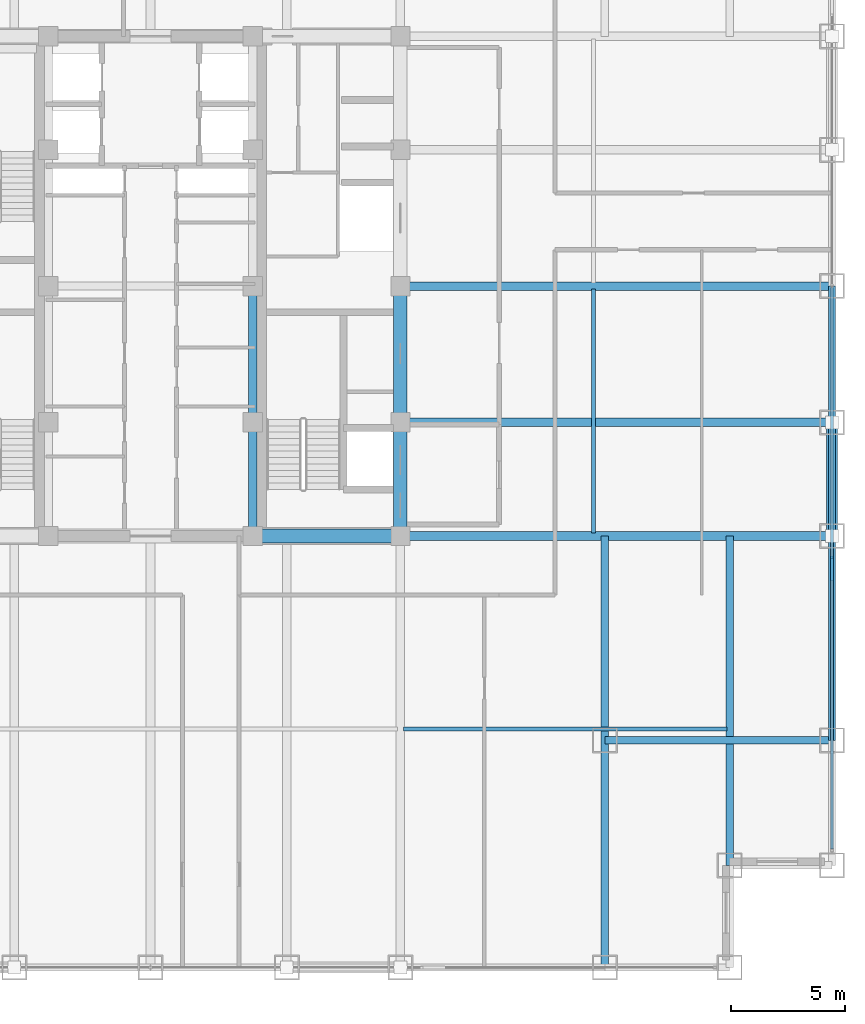
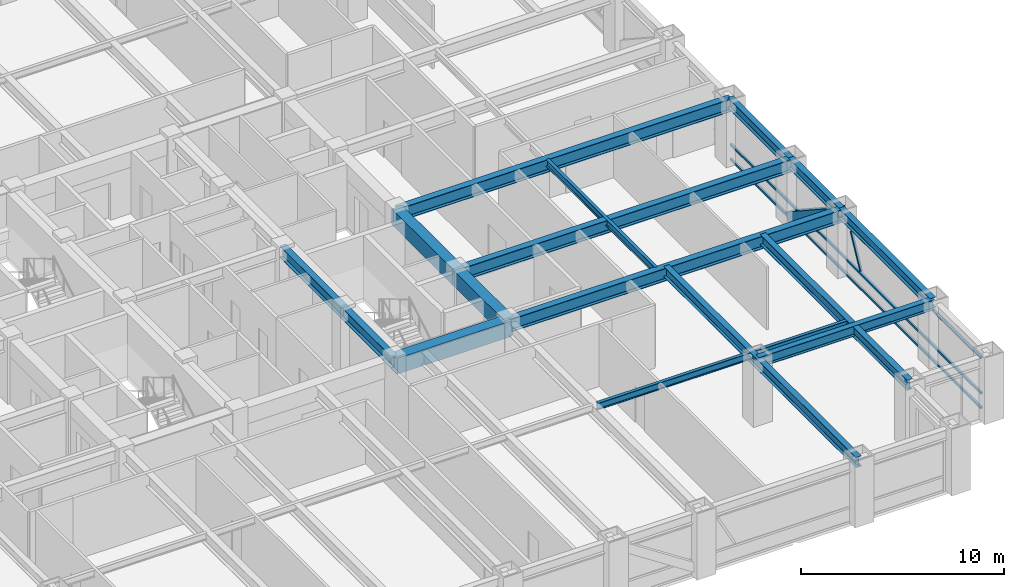
# One storey, part 9 of 24: 16 beams, 5 members, 1 element without a shape of its own.
"""IFC4 building model written with IfcOpenShell, lengths in metres."""

from ifc_helpers import new_model, si_unit, direction, frame, origin, origin_2d, place, context, subcontext, project, spatial, rectangle, hollow_rectangle, i_section, extrude, source, transform, mapped, material, material_profile, profile_set, type_object, element, aggregate, save


model = new_model("IFC4")

# Units and contexts
model_context = context("Model", 3, precision=1e-05, world=origin(), true_north=direction((0.0, 1.0)))
body_context = subcontext(model_context, "Body", "Model", "MODEL_VIEW")
ifc_project = project(units=[si_unit("LENGTHUNIT", "METRE"), si_unit("AREAUNIT", "SQUARE_METRE"), si_unit("VOLUMEUNIT", "CUBIC_METRE"), si_unit("PLANEANGLEUNIT", "RADIAN"), si_unit("MASSUNIT", "GRAM", prefix="KILO")], contexts=[model_context])

# Site, building, storey
site_placement = place(None, origin())
site = spatial("IfcSite", under=ifc_project, at=site_placement, CompositionType="ELEMENT")
building_placement = place(site_placement, origin())
building = spatial("IfcBuilding", under=site, at=building_placement, Name="Khorayat Bourse Tower", CompositionType="ELEMENT")
storey_placement = place(building_placement, frame((0.0, 0.0, 203.10009765625)))
storey = spatial("IfcBuildingStorey", under=building, at=storey_placement, Name="L47", CompositionType="ELEMENT", Elevation=203.10009765625)

# Beams
ifc_material_1 = material(Name="Steel ASTM A992 Grade 50", Category="steel")
ifc_material_profile_1 = material_profile(ifc_material_1, i_section(OverallWidth=0.35498046875, OverallDepth=0.695068359375, WebThickness=0.015380859375, FlangeThickness=0.02490234375, FilletRadius=0.01806640625, at=origin_2d()), Name="W690X217")
ifc_profile_set_1 = profile_set([ifc_material_profile_1], Name="Steel ASTM A992 Grade 50")
beam_type_1 = type_object("IfcBeamType", Name="BM-GIRD-690", PredefinedType="BEAM", material=ifc_profile_set_1)
shared_shape_1 = source(origin(), body_context, "Body", "SweptSolid", [
    extrude(i_section(OverallWidth=0.35498046875, OverallDepth=0.695068359375, WebThickness=0.015380859375, FlangeThickness=0.02490234375, FilletRadius=0.01806640625, at=origin_2d()), origin(), (0.0, 0.0, 1.0), 5.0),
])
beam_1_placement = place(storey_placement, frame((4.5, -11.0, 3.432373046875), z_axis=(0.0, 1.0, 0.0), x_axis=(-1.0, 0.0, 0.0)))
element("IfcBeam", 1, at=beam_1_placement, inside=storey, type_object=beam_type_1, Name="L47 BM-GIRD-690 BM-L47-CRX-09", PredefinedType="BEAM", context=body_context, shape_type="MappedRepresentation", body=[
    mapped(shared_shape_1, transform((0.0, 0.0, 0.0), scale=1.0)),
])
shared_shape_2 = source(origin(), body_context, "Body", "SweptSolid", [
    extrude(i_section(OverallWidth=0.35498046875, OverallDepth=0.695068359375, WebThickness=0.015380859375, FlangeThickness=0.02490234375, FilletRadius=0.01806640625, at=origin_2d()), origin(), (0.0, 0.0, 1.0), 6.0),
])
beam_2_placement = place(storey_placement, frame((4.5, -6.0, 3.432373046875), z_axis=(0.0, 1.0, 0.0), x_axis=(-1.0, 0.0, 0.0)))
element("IfcBeam", 2, at=beam_2_placement, inside=storey, type_object=beam_type_1, Name="L47 BM-GIRD-690 BM-L47-CRX-10", PredefinedType="BEAM", context=body_context, shape_type="MappedRepresentation", body=[
    mapped(shared_shape_2, transform((0.0, 0.0, 0.0), scale=1.0)),
])
ifc_material_profile_2 = material_profile(ifc_material_1, i_section(OverallWidth=0.381103515625, OverallDepth=0.77294921875, WebThickness=0.0166015625, FlangeThickness=0.027587890625, FilletRadius=0.01806640625, at=origin_2d()), Name="W760X257")
ifc_profile_set_2 = profile_set([ifc_material_profile_2], Name="Steel ASTM A992 Grade 50")
beam_type_2 = type_object("IfcBeamType", Name="BM-GIRD-760", PredefinedType="BEAM", material=ifc_profile_set_2)
shared_shape_3 = source(origin(), body_context, "Body", "SweptSolid", [
    extrude(i_section(OverallWidth=0.381103515625, OverallDepth=0.77294921875, WebThickness=0.0166015625, FlangeThickness=0.027587890625, FilletRadius=0.01806640625, at=origin_2d()), origin(), (0.0, 0.0, 1.0), 19.0),
])
for number, where, z_axis, x_axis, name in (
    (3, (11.0, -11.0, 3.393310546875), (1.0, 0.0, 0.0), (0.0, 1.0, 0.0), "L47 BM-GIRD-760 BM-L47-RADX-074"),
    (4, (11.0, -6.0, 3.393310546875), (1.0, 0.0, 0.0), (0.0, 1.0, 0.0), "L47 BM-GIRD-760 BM-L47-RADX-076"),
    (5, (11.0, 0.0, 3.393310546875), (1.0, 0.0, 0.0), (0.0, 1.0, 0.0), "L47 BM-GIRD-760 BM-L47-RADX-078"),
):
    element("IfcBeam", number, at=place(storey_placement, frame(where, z_axis=z_axis, x_axis=x_axis)), inside=storey, type_object=beam_type_2, Name=name, PredefinedType="BEAM", context=body_context, shape_type="MappedRepresentation", body=[
        mapped(shared_shape_3, transform((0.0, 0.0, 0.0), scale=1.0)),
    ])
ifc_material_profile_3 = material_profile(ifc_material_1, i_section(OverallWidth=0.324951171875, OverallDepth=0.615966796875, WebThickness=0.013916015625, FlangeThickness=0.021484375, FilletRadius=0.01611328125, at=origin_2d()), Name="W610X174")
ifc_profile_set_3 = profile_set([ifc_material_profile_3], Name="Steel ASTM A992 Grade 50")
beam_type_3 = type_object("IfcBeamType", Name="BM-GIRD-610", PredefinedType="BEAM", material=ifc_profile_set_3)
shared_shape_4 = source(origin(), body_context, "Body", "SweptSolid", [
    extrude(i_section(OverallWidth=0.324951171875, OverallDepth=0.615966796875, WebThickness=0.013916015625, FlangeThickness=0.021484375, FilletRadius=0.01611328125, at=origin_2d()), origin(), (0.0, 0.0, 1.0), 19.0),
])
beam_3_placement = place(storey_placement, frame((20.0, -30.0, 3.471923828125), z_axis=(0.0, 1.0, 0.0), x_axis=(-1.0, 0.0, 0.0)))
element("IfcBeam", 6, at=beam_3_placement, inside=storey, type_object=beam_type_3, Name="L47 BM-GIRD-610 BM-L47-CNRY-086", PredefinedType="BEAM", context=body_context, shape_type="MappedRepresentation", body=[
    mapped(shared_shape_4, transform((0.0, 0.0, 0.0), scale=1.0)),
])
shared_shape_5 = source(origin(), body_context, "Body", "SweptSolid", [
    extrude(i_section(OverallWidth=0.324951171875, OverallDepth=0.615966796875, WebThickness=0.013916015625, FlangeThickness=0.021484375, FilletRadius=0.01611328125, at=origin_2d()), origin(), (0.0, 0.0, 1.0), 14.5),
])
beam_4_placement = place(storey_placement, frame((25.5, -25.5, 3.471923828125), z_axis=(0.0, 1.0, 0.0), x_axis=(-1.0, 0.0, 0.0)))
element("IfcBeam", 7, at=beam_4_placement, inside=storey, type_object=beam_type_3, Name="L47 BM-GIRD-610 BM-L47-CNRY-090", PredefinedType="BEAM", context=body_context, shape_type="MappedRepresentation", body=[
    mapped(shared_shape_5, transform((0.0, 0.0, 0.0), scale=1.0)),
])
shared_shape_6 = source(origin(), body_context, "Body", "SweptSolid", [
    extrude(i_section(OverallWidth=0.324951171875, OverallDepth=0.615966796875, WebThickness=0.013916015625, FlangeThickness=0.021484375, FilletRadius=0.01611328125, at=origin_2d()), origin(), (0.0, 0.0, 1.0), 10.0),
])
beam_5_placement = place(storey_placement, frame((20.0, -20.0, 3.471923828125), z_axis=(1.0, 0.0, 0.0), x_axis=(0.0, 1.0, 0.0)))
element("IfcBeam", 8, at=beam_5_placement, inside=storey, type_object=beam_type_3, Name="L47 BM-GIRD-610 BM-L47-CNRX-092", PredefinedType="BEAM", context=body_context, shape_type="MappedRepresentation", body=[
    mapped(shared_shape_6, transform((0.0, 0.0, 0.0), scale=1.0)),
])
ifc_material_profile_4 = material_profile(ifc_material_1, i_section(OverallWidth=0.180908203125, OverallDepth=0.4169921875, WebThickness=0.010986328125, FlangeThickness=0.018310546875, FilletRadius=0.011962890625, at=origin_2d()), Name="W410X85")
ifc_profile_set_4 = profile_set([ifc_material_profile_4], Name="Steel ASTM A992 Grade 50")
beam_type_4 = type_object("IfcBeamType", Name="BM-JOIST-410", PredefinedType="JOIST", material=ifc_profile_set_4)
shared_shape_7 = source(origin(), body_context, "Body", "SweptSolid", [
    extrude(i_section(OverallWidth=0.180908203125, OverallDepth=0.4169921875, WebThickness=0.010986328125, FlangeThickness=0.018310546875, FilletRadius=0.011962890625, at=origin_2d()), origin(), (0.0, 0.0, 1.0), 14.240234375),
])
beam_6_placement = place(storey_placement, frame((11.1298828125, -19.5, 3.5712890625), z_axis=(1.0, 0.0, 0.0), x_axis=(0.0, 1.0, 0.0)))
element("IfcBeam", 9, at=beam_6_placement, inside=storey, type_object=beam_type_4, Name="L47 BM-JOIST-410 BM-L47-JSTX-098", PredefinedType="JOIST", context=body_context, shape_type="MappedRepresentation", body=[
    mapped(shared_shape_7, transform((0.0, 0.0, 0.0), scale=1.0)),
])
shared_shape_8 = source(origin(), body_context, "Body", "SweptSolid", [
    extrude(i_section(OverallWidth=0.180908203125, OverallDepth=0.4169921875, WebThickness=0.010986328125, FlangeThickness=0.018310546875, FilletRadius=0.011962890625, at=origin_2d()), origin(), (0.0, 0.0, 1.0), 10.740234375),
])
beam_7_placement = place(storey_placement, frame((19.5, -10.8701171875, 3.5712890625), z_axis=(0.0, 1.0, 0.0), x_axis=(-1.0, 0.0, 0.0)))
element("IfcBeam", 10, at=beam_7_placement, inside=storey, type_object=beam_type_4, Name="L47 BM-JOIST-410 BM-L47-JSTY-104", PredefinedType="JOIST", context=body_context, shape_type="MappedRepresentation", body=[
    mapped(shared_shape_8, transform((0.0, 0.0, 0.0), scale=1.0)),
])
ifc_material_profile_5 = material_profile(ifc_material_1, i_section(OverallWidth=0.324951171875, OverallDepth=0.615966796875, WebThickness=0.013916015625, FlangeThickness=0.021484375, FilletRadius=0.01611328125, at=origin_2d()), Name="W610X174")
ifc_profile_set_5 = profile_set([ifc_material_profile_5], Name="Steel ASTM A992 Grade 50")
beam_type_5 = type_object("IfcBeamType", Name="BM-SPAN-610", PredefinedType="SPANDREL", material=ifc_profile_set_5)
shared_shape_9 = source(origin(), body_context, "Body", "SweptSolid", [
    extrude(i_section(OverallWidth=0.324951171875, OverallDepth=0.615966796875, WebThickness=0.013916015625, FlangeThickness=0.021484375, FilletRadius=0.01611328125, at=origin_2d()), origin(), (0.0, 0.0, 1.0), 9.0),
])
beam_8_placement = place(storey_placement, frame((30.0, -20.0, 3.471923828125), z_axis=(0.0, 1.0, 0.0), x_axis=(-1.0, 0.0, 0.0)))
element("IfcBeam", 11, at=beam_8_placement, inside=storey, type_object=beam_type_5, Name="L47 BM-SPAN-610 BM-L47-SPN-035", PredefinedType="SPANDREL", context=body_context, shape_type="MappedRepresentation", body=[
    mapped(shared_shape_9, transform((0.0, 0.0, 0.0), scale=1.0)),
])
shared_shape_10 = source(origin(), body_context, "Body", "SweptSolid", [
    extrude(i_section(OverallWidth=0.324951171875, OverallDepth=0.615966796875, WebThickness=0.013916015625, FlangeThickness=0.021484375, FilletRadius=0.01611328125, at=origin_2d()), origin(), (0.0, 0.0, 1.0), 5.0),
])
beam_9_placement = place(storey_placement, frame((30.0, -11.0, 3.471923828125), z_axis=(0.0, 1.0, 0.0), x_axis=(-1.0, 0.0, 0.0)))
element("IfcBeam", 12, at=beam_9_placement, inside=storey, type_object=beam_type_5, Name="L47 BM-SPAN-610 BM-L47-SPN-036", PredefinedType="SPANDREL", context=body_context, shape_type="MappedRepresentation", body=[
    mapped(shared_shape_10, transform((0.0, 0.0, 0.0), scale=1.0)),
])
shared_shape_11 = source(origin(), body_context, "Body", "SweptSolid", [
    extrude(i_section(OverallWidth=0.324951171875, OverallDepth=0.615966796875, WebThickness=0.013916015625, FlangeThickness=0.021484375, FilletRadius=0.01611328125, at=origin_2d()), origin(), (0.0, 0.0, 1.0), 6.0),
])
beam_10_placement = place(storey_placement, frame((30.0, -6.0, 3.471923828125), z_axis=(0.0, 1.0, 0.0), x_axis=(-1.0, 0.0, 0.0)))
element("IfcBeam", 13, at=beam_10_placement, inside=storey, type_object=beam_type_5, Name="L47 BM-SPAN-610 BM-L47-SPN-037", PredefinedType="SPANDREL", context=body_context, shape_type="MappedRepresentation", body=[
    mapped(shared_shape_11, transform((0.0, 0.0, 0.0), scale=1.0)),
])

# Member
ifc_material_2 = material(Name="Steel EN 10025-4 S460M", Category="steel")
ifc_material_profile_6 = material_profile(ifc_material_2, hollow_rectangle(XDim=0.5, YDim=0.5, WallThickness=0.028076171875, at=origin_2d()), Name="HSS 500x500x28")
ifc_profile_set_6 = profile_set([ifc_material_profile_6], Name="Steel EN 10025-4 S460M")
member_type_1 = type_object("IfcMemberType", Name="MBR-TUBE-500", PredefinedType="BRACE", material=ifc_profile_set_6)
shared_shape_12 = source(origin(), body_context, "Body", "SweptSolid", [
    extrude(hollow_rectangle(XDim=0.5, YDim=0.5, WallThickness=0.028076171875, at=origin_2d()), origin(), (0.0, 0.0, 1.0), 5.979736328125),
])
member_1_placement = place(storey_placement, frame((30.0, -11.0, 3.52978515625), z_axis=(0.0, 0.836160261256, -0.548485202623), x_axis=(-1.0, 0.0, 0.0)))
element("IfcMember", 14, at=member_1_placement, inside=storey, type_object=member_type_1, Name="L47 Perimeter Tube Brace 07", PredefinedType="BRACE", context=body_context, shape_type="MappedRepresentation", body=[
    mapped(shared_shape_12, transform((0.0, 0.0, 0.0), scale=1.0)),
])

# Beams
ifc_material_3 = material(Name="Concrete C60/75", Category="concrete")
ifc_material_profile_7 = material_profile(ifc_material_3, rectangle(XDim=0.60009765625, YDim=0.949951171875, at=origin_2d()), Name="RC 600x950")
ifc_profile_set_7 = profile_set([ifc_material_profile_7], Name="Concrete C60/75")
beam_type_6 = type_object("IfcBeamType", Name="BM-COUP-950", PredefinedType="BEAM", material=ifc_profile_set_7)
shared_shape_13 = source(origin(), body_context, "Body", "SweptSolid", [
    extrude(rectangle(XDim=0.60009765625, YDim=0.949951171875, at=origin_2d()), origin(), (0.0, 0.0, 1.0), 5.0),
])
beam_11_placement = place(storey_placement, frame((11.0, -11.0, 3.304931640625), z_axis=(0.0, 1.0, 0.0), x_axis=(-1.0, 0.0, 0.0)))
element("IfcBeam", 15, at=beam_11_placement, inside=storey, type_object=beam_type_6, Name="L47 BM-COUP-950 BM-L47-CRX-13", PredefinedType="BEAM", context=body_context, shape_type="MappedRepresentation", body=[
    mapped(shared_shape_13, transform((0.0, 0.0, 0.0), scale=1.0)),
])
shared_shape_14 = source(origin(), body_context, "Body", "SweptSolid", [
    extrude(rectangle(XDim=0.60009765625, YDim=0.949951171875, at=origin_2d()), origin(), (0.0, 0.0, 1.0), 6.0),
])
beam_12_placement = place(storey_placement, frame((11.0, -6.0, 3.304931640625), z_axis=(0.0, 1.0, 0.0), x_axis=(-1.0, 0.0, 0.0)))
element("IfcBeam", 16, at=beam_12_placement, inside=storey, type_object=beam_type_6, Name="L47 BM-COUP-950 BM-L47-CRX-14", PredefinedType="BEAM", context=body_context, shape_type="MappedRepresentation", body=[
    mapped(shared_shape_14, transform((0.0, 0.0, 0.0), scale=1.0)),
])
shared_shape_15 = source(origin(), body_context, "Body", "SweptSolid", [
    extrude(rectangle(XDim=0.60009765625, YDim=0.949951171875, at=origin_2d()), origin(), (0.0, 0.0, 1.0), 6.5),
])
beam_13_placement = place(storey_placement, frame((4.5, -11.0, 3.304931640625), z_axis=(1.0, 0.0, 0.0), x_axis=(0.0, 1.0, 0.0)))
element("IfcBeam", 17, at=beam_13_placement, inside=storey, type_object=beam_type_6, Name="L47 BM-COUP-950 BM-L47-CRY-19", PredefinedType="BEAM", context=body_context, shape_type="MappedRepresentation", body=[
    mapped(shared_shape_15, transform((0.0, 0.0, 0.0), scale=1.0)),
])

# Curtain wall, members
ifc_material_4 = material(Name="Aluminium EN AW-6063 T6", Category="aluminium")
curtain_wall_type = type_object("IfcCurtainWallType", Name="CW-SYS-03", PredefinedType="NOTDEFINED", material=ifc_material_4)
curtain_wall_placement = place(storey_placement, origin())
curtain_wall = element("IfcCurtainWall", 18, at=curtain_wall_placement, inside=storey, type_object=curtain_wall_type, Name="L47 Curtain Wall CW-L47-E1", PredefinedType="NOTDEFINED")
ifc_material_profile_8 = material_profile(ifc_material_4, hollow_rectangle(XDim=0.1201171875, YDim=0.1201171875, WallThickness=0.0048828125, at=origin_2d()), Name="ALU 120x120x5")
ifc_profile_set_8 = profile_set([ifc_material_profile_8], Name="Aluminium EN AW-6063 T6")
member_type_2 = type_object("IfcMemberType", Name="CWM-DIAG-120", PredefinedType="MULLION", material=ifc_profile_set_8)
shared_shape_16 = source(origin(), body_context, "Body", "SweptSolid", [
    extrude(hollow_rectangle(XDim=0.1201171875, YDim=0.1201171875, WallThickness=0.0048828125, at=origin_2d()), origin(), (0.0, 0.0, 1.0), 2.079345703125),
])
member_2_placement = place(storey_placement, frame((30.0, -12.904296875, 1.08984375), z_axis=(0.0, 0.465760949701, 0.884910581773), x_axis=(-1.0, 0.0, 0.0)))
member_2 = element("IfcMember", 19, at=member_2_placement, type_object=member_type_2, Name="CW-L47-E1 Faceted Diagonal Mullion 1", PredefinedType="MULLION", context=body_context, shape_type="MappedRepresentation", body=[
    mapped(shared_shape_16, transform((0.0, 0.0, 0.0), scale=1.0)),
])
ifc_material_profile_9 = material_profile(ifc_material_4, hollow_rectangle(XDim=0.1201171875, YDim=0.1201171875, WallThickness=0.0048828125, at=origin_2d()), Name="ALU 120x120x5")
ifc_profile_set_9 = profile_set([ifc_material_profile_9], Name="Aluminium EN AW-6063 T6")
member_type_3 = type_object("IfcMemberType", Name="CWT-HORZ-120", PredefinedType="USERDEFINED", material=ifc_profile_set_9)
shared_shape_17 = source(origin(), body_context, "Body", "SweptSolid", [
    extrude(hollow_rectangle(XDim=0.1201171875, YDim=0.1201171875, WallThickness=0.0048828125, at=origin_2d()), origin(), (0.0, 0.0, 1.0), 24.719970703125),
])
member_3_placement = place(storey_placement, frame((30.0, -24.780029296875, 0.059814453125), z_axis=(0.0, 1.0, 0.0), x_axis=(-1.0, 0.0, 0.0)))
member_3 = element("IfcMember", 20, at=member_3_placement, type_object=member_type_3, Name="CW-L47-E1 Horizontal Transom 1-1", ObjectType="TRANSOM", PredefinedType="USERDEFINED", context=body_context, shape_type="MappedRepresentation", body=[
    mapped(shared_shape_17, transform((0.0, 0.0, 0.0), scale=1.0)),
])
member_4_placement = place(storey_placement, frame((30.0, -24.780029296875, 0.949951171875), z_axis=(0.0, 1.0, 0.0), x_axis=(-1.0, 0.0, 0.0)))
member_4 = element("IfcMember", 21, at=member_4_placement, type_object=member_type_3, Name="CW-L47-E1 Horizontal Transom 1-2", ObjectType="TRANSOM", PredefinedType="USERDEFINED", context=body_context, shape_type="MappedRepresentation", body=[
    mapped(shared_shape_17, transform((0.0, 0.0, 0.0), scale=1.0)),
])
member_5_placement = place(storey_placement, frame((30.0, -24.780029296875, 3.06982421875), z_axis=(0.0, 1.0, 0.0), x_axis=(-1.0, 0.0, 0.0)))
member_5 = element("IfcMember", 22, at=member_5_placement, type_object=member_type_3, Name="CW-L47-E1 Horizontal Transom 1-3", ObjectType="TRANSOM", PredefinedType="USERDEFINED", context=body_context, shape_type="MappedRepresentation", body=[
    mapped(shared_shape_17, transform((0.0, 0.0, 0.0), scale=1.0)),
])
aggregate(curtain_wall, [member_3, member_4, member_5, member_2])

save(model, "model.ifc")
